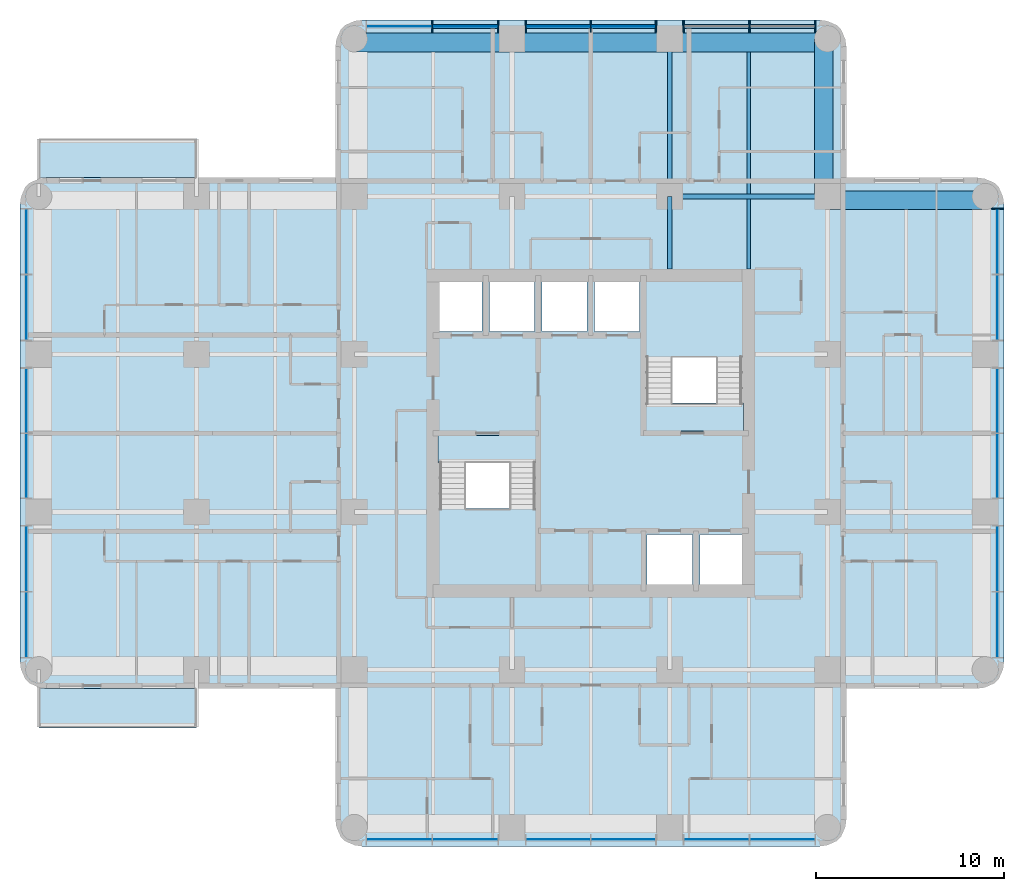
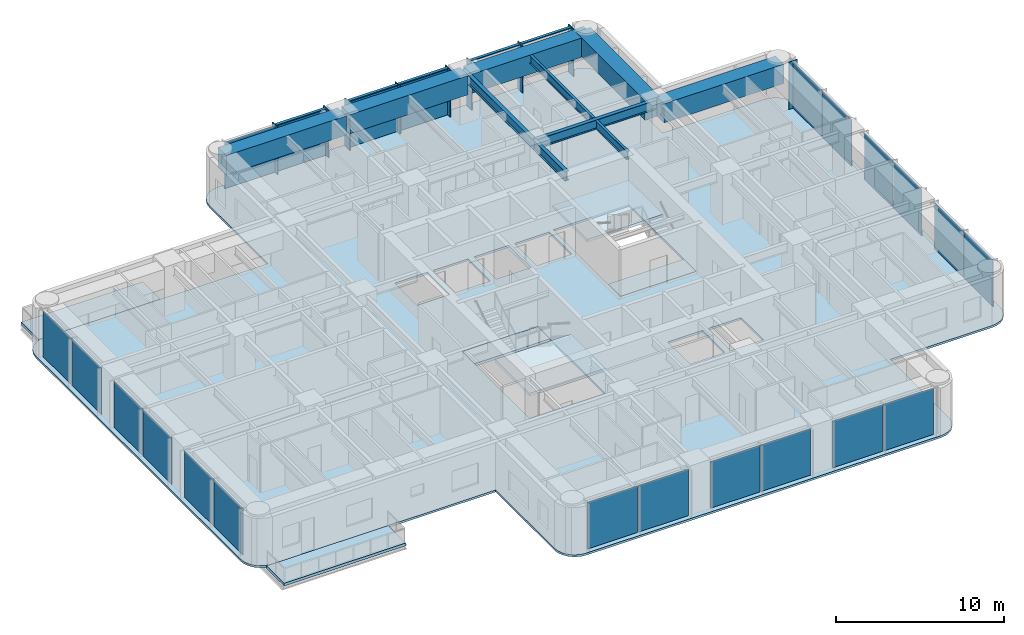
# One storey, part 3 of 11: 22 plates, 14 members, 10 beams, 7 slabs, 6 elements without a shape of their own.
"""IFC4 building model written with IfcOpenShell, lengths in metres."""

from ifc_helpers import new_model, si_unit, direction, frame, origin, origin_2d, place, context, subcontext, project, spatial, polyline, rectangle, i_section, outline, extrude, material, layer, layer_set, material_profile, profile_set, type_object, element, aggregate, save


model = new_model("IFC4")

# Units and contexts
model_context = context("Model", 3, precision=1e-05, world=origin(), true_north=direction((0.0, 1.0)))
body_context = subcontext(model_context, "Body", "Model", "MODEL_VIEW")
ifc_project = project(units=[si_unit("LENGTHUNIT", "METRE"), si_unit("AREAUNIT", "SQUARE_METRE"), si_unit("VOLUMEUNIT", "CUBIC_METRE"), si_unit("PLANEANGLEUNIT", "RADIAN"), si_unit("MASSUNIT", "GRAM", prefix="KILO")], contexts=[model_context])

# Site, building, storey
site_placement = place(None, origin())
site = spatial("IfcSite", under=ifc_project, at=site_placement, CompositionType="ELEMENT")
building_placement = place(site_placement, origin())
building = spatial("IfcBuilding", under=site, at=building_placement, Name="Torre Alcanfor", CompositionType="ELEMENT")
storey_placement = place(building_placement, frame((0.0, 0.0, 219.300048828125)))
storey = spatial("IfcBuildingStorey", under=building, at=storey_placement, Name="L57", CompositionType="ELEMENT", Elevation=219.300048828125)

# Curtain wall, member
ifc_material_1 = material(Name="Aluminium and glass", Category="aluminium")
curtain_wall_type = type_object("IfcCurtainWallType", Name="CW-A unitised apartment glazing with vertical FIN", PredefinedType="NOTDEFINED", material=ifc_material_1)
curtain_wall_1_placement = place(storey_placement, origin())
curtain_wall_1 = element("IfcCurtainWall", 1, at=curtain_wall_1_placement, inside=storey, type_object=curtain_wall_type, Name="Curtain wall CW-A L57 8", PredefinedType="NOTDEFINED")
ifc_material_2 = material(Name="Bronze anodised aluminium", Category="aluminium")
ifc_material_profile_1 = material_profile(ifc_material_2, rectangle(XDim=0.60009765625, YDim=0.06494140625, at=origin_2d()), Name="CW-A mullion 65x600")
ifc_profile_set_1 = profile_set([ifc_material_profile_1], Name="Bronze anodised aluminium")
member_type_1 = type_object("IfcMemberType", Name="CW-A mullion with vertical FIN 65x600", PredefinedType="MULLION", material=ifc_profile_set_1)
member_1_placement = place(storey_placement, frame((51.050048828125, 41.35546875, 0.0), z_axis=(0.0, 0.0, 1.0), x_axis=(-1.0, 0.0, 0.0)))
member_1 = element("IfcMember", 2, at=member_1_placement, type_object=member_type_1, Name="CW-A mullion 3.3", PredefinedType="MULLION", context=body_context, shape_type="SweptSolid", body=[
    extrude(rectangle(XDim=0.60009765625, YDim=0.06494140625, at=origin_2d()), origin(), (0.0, 0.0, 1.0), 3.449951171875),
])

# Curtain wall, members
curtain_wall_2_placement = place(storey_placement, origin())
curtain_wall_2 = element("IfcCurtainWall", 3, at=curtain_wall_2_placement, inside=storey, type_object=curtain_wall_type, Name="Curtain wall CW-A L57 11", PredefinedType="NOTDEFINED")
member_2_placement = place(storey_placement, frame((41.35546875, 51.050048828125, 0.0), z_axis=(0.0, 0.0, 1.0), x_axis=(0.0, -1.0, 0.0)))
member_2 = element("IfcMember", 4, at=member_2_placement, type_object=member_type_1, Name="CW-A mullion 1.1", PredefinedType="MULLION", context=body_context, shape_type="SweptSolid", body=[
    extrude(rectangle(XDim=0.60009765625, YDim=0.06494140625, at=origin_2d()), origin(), (0.0, 0.0, 1.0), 3.449951171875),
])
member_3_placement = place(storey_placement, frame((37.846435546875, 51.050048828125, 0.0), z_axis=(0.0, 0.0, 1.0), x_axis=(0.0, -1.0, 0.0)))
member_3 = element("IfcMember", 5, at=member_3_placement, type_object=member_type_1, Name="CW-A mullion 1.2", PredefinedType="MULLION", context=body_context, shape_type="SweptSolid", body=[
    extrude(rectangle(XDim=0.60009765625, YDim=0.06494140625, at=origin_2d()), origin(), (0.0, 0.0, 1.0), 3.449951171875),
])
member_4_placement = place(storey_placement, frame((34.33740234375, 51.050048828125, 0.0), z_axis=(0.0, 0.0, 1.0), x_axis=(0.0, -1.0, 0.0)))
member_4 = element("IfcMember", 6, at=member_4_placement, type_object=member_type_1, Name="CW-A mullion 1.3", PredefinedType="MULLION", context=body_context, shape_type="SweptSolid", body=[
    extrude(rectangle(XDim=0.60009765625, YDim=0.06494140625, at=origin_2d()), origin(), (0.0, 0.0, 1.0), 3.449951171875),
])
member_5_placement = place(storey_placement, frame((32.862548828125, 51.050048828125, 0.0), z_axis=(0.0, 0.0, 1.0), x_axis=(0.0, -1.0, 0.0)))
member_5 = element("IfcMember", 7, at=member_5_placement, type_object=member_type_1, Name="CW-A mullion 2.1", PredefinedType="MULLION", context=body_context, shape_type="SweptSolid", body=[
    extrude(rectangle(XDim=0.60009765625, YDim=0.06494140625, at=origin_2d()), origin(), (0.0, 0.0, 1.0), 3.449951171875),
])
member_6_placement = place(storey_placement, frame((29.39990234375, 51.050048828125, 0.0), z_axis=(0.0, 0.0, 1.0), x_axis=(0.0, -1.0, 0.0)))
member_6 = element("IfcMember", 8, at=member_6_placement, type_object=member_type_1, Name="CW-A mullion 2.2", PredefinedType="MULLION", context=body_context, shape_type="SweptSolid", body=[
    extrude(rectangle(XDim=0.60009765625, YDim=0.06494140625, at=origin_2d()), origin(), (0.0, 0.0, 1.0), 3.449951171875),
])
member_7_placement = place(storey_placement, frame((25.9375, 51.050048828125, 0.0), z_axis=(0.0, 0.0, 1.0), x_axis=(0.0, -1.0, 0.0)))
member_7 = element("IfcMember", 9, at=member_7_placement, type_object=member_type_1, Name="CW-A mullion 2.3", PredefinedType="MULLION", context=body_context, shape_type="SweptSolid", body=[
    extrude(rectangle(XDim=0.60009765625, YDim=0.06494140625, at=origin_2d()), origin(), (0.0, 0.0, 1.0), 3.449951171875),
])
member_8_placement = place(storey_placement, frame((24.46240234375, 51.050048828125, 0.0), z_axis=(0.0, 0.0, 1.0), x_axis=(0.0, -1.0, 0.0)))
member_8 = element("IfcMember", 10, at=member_8_placement, type_object=member_type_1, Name="CW-A mullion 3.1", PredefinedType="MULLION", context=body_context, shape_type="SweptSolid", body=[
    extrude(rectangle(XDim=0.60009765625, YDim=0.06494140625, at=origin_2d()), origin(), (0.0, 0.0, 1.0), 3.449951171875),
])
member_9_placement = place(storey_placement, frame((20.95361328125, 51.050048828125, 0.0), z_axis=(0.0, 0.0, 1.0), x_axis=(0.0, -1.0, 0.0)))
member_9 = element("IfcMember", 11, at=member_9_placement, type_object=member_type_1, Name="CW-A mullion 3.2", PredefinedType="MULLION", context=body_context, shape_type="SweptSolid", body=[
    extrude(rectangle(XDim=0.60009765625, YDim=0.06494140625, at=origin_2d()), origin(), (0.0, 0.0, 1.0), 3.449951171875),
])
ifc_material_3 = material(Name="Extruded aluminium", Category="aluminium")
ifc_material_profile_2 = material_profile(ifc_material_3, rectangle(XDim=0.199951171875, YDim=0.06494140625, at=origin_2d()), Name="CW-A transom 200x65")
ifc_profile_set_2 = profile_set([ifc_material_profile_2], Name="Extruded aluminium")
member_type_2 = type_object("IfcMemberType", Name="CW-A transom 65x200", PredefinedType="USERDEFINED", material=ifc_profile_set_2)
member_10_placement = place(storey_placement, frame((41.322998046875, 51.050048828125, 3.41748046875), z_axis=(-1.0, 0.0, 0.0), x_axis=(0.0, -1.0, 0.0)))
member_10 = element("IfcMember", 12, at=member_10_placement, type_object=member_type_2, Name="CW-A transom 1.1.2", ObjectType="TRANSOM", PredefinedType="USERDEFINED", context=body_context, shape_type="SweptSolid", body=[
    extrude(rectangle(XDim=0.199951171875, YDim=0.06494140625, at=origin_2d()), origin(), (0.0, 0.0, 1.0), 3.444091796875),
])
member_11_placement = place(storey_placement, frame((37.81396484375, 51.050048828125, 3.41748046875), z_axis=(-1.0, 0.0, 0.0), x_axis=(0.0, -1.0, 0.0)))
member_11 = element("IfcMember", 13, at=member_11_placement, type_object=member_type_2, Name="CW-A transom 1.2.2", ObjectType="TRANSOM", PredefinedType="USERDEFINED", context=body_context, shape_type="SweptSolid", body=[
    extrude(rectangle(XDim=0.199951171875, YDim=0.06494140625, at=origin_2d()), origin(), (0.0, 0.0, 1.0), 3.44384765625),
])
member_12_placement = place(storey_placement, frame((32.830078125, 51.050048828125, 3.41748046875), z_axis=(-1.0, 0.0, 0.0), x_axis=(0.0, -1.0, 0.0)))
member_12 = element("IfcMember", 14, at=member_12_placement, type_object=member_type_2, Name="CW-A transom 2.1.2", ObjectType="TRANSOM", PredefinedType="USERDEFINED", context=body_context, shape_type="SweptSolid", body=[
    extrude(rectangle(XDim=0.199951171875, YDim=0.06494140625, at=origin_2d()), origin(), (0.0, 0.0, 1.0), 3.3974609375),
])
member_13_placement = place(storey_placement, frame((29.367431640625, 51.050048828125, 3.41748046875), z_axis=(-1.0, 0.0, 0.0), x_axis=(0.0, -1.0, 0.0)))
member_13 = element("IfcMember", 15, at=member_13_placement, type_object=member_type_2, Name="CW-A transom 2.2.2", ObjectType="TRANSOM", PredefinedType="USERDEFINED", context=body_context, shape_type="SweptSolid", body=[
    extrude(rectangle(XDim=0.199951171875, YDim=0.06494140625, at=origin_2d()), origin(), (0.0, 0.0, 1.0), 3.3974609375),
])
member_14_placement = place(storey_placement, frame((24.429931640625, 51.050048828125, 3.41748046875), z_axis=(-1.0, 0.0, 0.0), x_axis=(0.0, -1.0, 0.0)))
member_14 = element("IfcMember", 16, at=member_14_placement, type_object=member_type_2, Name="CW-A transom 3.1.2", ObjectType="TRANSOM", PredefinedType="USERDEFINED", context=body_context, shape_type="SweptSolid", body=[
    extrude(rectangle(XDim=0.199951171875, YDim=0.06494140625, at=origin_2d()), origin(), (0.0, 0.0, 1.0), 3.44384765625),
])

# Beams
ifc_material_4 = material(Name="Steel ASTM A992 Grade 50", Category="steel")
ifc_material_profile_3 = material_profile(ifc_material_4, i_section(OverallWidth=0.25390625, OverallDepth=0.683349609375, WebThickness=0.012451171875, FlangeThickness=0.01904296875, at=origin_2d()), Name="W27x94")
ifc_profile_set_3 = profile_set([ifc_material_profile_3], Name="Steel ASTM A992 Grade 50")
beam_type_1 = type_object("IfcBeamType", Name="Girder W27x94", PredefinedType="BEAM", material=ifc_profile_set_3)
for number, where, z_axis, x_axis, name in (
    (17, (33.60009765625, 42.0, 3.1083984375), (1.0, 0.0, 0.0), (0.0, 1.0, 0.0), "Beam 5H-6H under L58"),
    (18, (33.60009765625, 42.0, 3.1083984375), (0.0, 1.0, 0.0), (-1.0, 0.0, 0.0), "Beam 5H-5J under L58"),
):
    element("IfcBeam", number, at=place(storey_placement, frame(where, z_axis=z_axis, x_axis=x_axis)), inside=storey, type_object=beam_type_1, Name=name, PredefinedType="BEAM", context=body_context, shape_type="SweptSolid", body=[
        extrude(i_section(OverallWidth=0.25390625, OverallDepth=0.683349609375, WebThickness=0.012451171875, FlangeThickness=0.01904296875, at=origin_2d()), origin(), (0.0, 0.0, 1.0), 8.39990234375),
    ])
ifc_material_5 = material(Name="Steel ASTM A992 Grade 50", Category="steel")
ifc_material_profile_4 = material_profile(ifc_material_5, i_section(OverallWidth=0.25390625, OverallDepth=0.683349609375, WebThickness=0.012451171875, FlangeThickness=0.01904296875, at=origin_2d()), Name="W27x94")
ifc_profile_set_4 = profile_set([ifc_material_profile_4], Name="Steel ASTM A992 Grade 50")
beam_type_2 = type_object("IfcBeamType", Name="Girder, part bay W27x94", PredefinedType="BEAM", material=ifc_profile_set_4)
beam_1_placement = place(storey_placement, frame((33.60009765625, 42.0, 3.1083984375), z_axis=(0.0, -1.0, 0.0), x_axis=(1.0, 0.0, 0.0)))
element("IfcBeam", 19, at=beam_1_placement, inside=storey, type_object=beam_type_2, Name="Beam 5H-538_15 under L58", PredefinedType="BEAM", context=body_context, shape_type="SweptSolid", body=[
    extrude(i_section(OverallWidth=0.25390625, OverallDepth=0.683349609375, WebThickness=0.012451171875, FlangeThickness=0.01904296875, at=origin_2d()), origin(), (0.0, 0.0, 1.0), 3.85009765625),
])
ifc_material_6 = material(Name="Concrete f'c 70 MPa", Category="concrete")
ifc_material_profile_5 = material_profile(ifc_material_6, rectangle(XDim=1.0, YDim=1.39990234375, at=origin_2d()), Name="1000x1400")
ifc_profile_set_5 = profile_set([ifc_material_profile_5], Name="Concrete f'c 70 MPa")
beam_type_3 = type_object("IfcBeamType", Name="RC perimeter beam 1000x1400", PredefinedType="BEAM", material=ifc_profile_set_5)
for number, where, z_axis, x_axis, name in (
    (20, (42.126953125, 41.800048828125, 2.75), (1.0, 0.0, 0.0), (0.0, 1.0, 0.0), "Beam 6H-7H under L58"),
    (21, (16.800048828125, 50.199951171875, 2.75), (1.0, 0.0, 0.0), (0.0, 1.0, 0.0), "Beam 3J-4J under L58"),
):
    element("IfcBeam", number, at=place(storey_placement, frame(where, z_axis=z_axis, x_axis=x_axis)), inside=storey, type_object=beam_type_3, Name=name, PredefinedType="BEAM", context=body_context, shape_type="SweptSolid", body=[
        extrude(rectangle(XDim=1.0, YDim=1.39990234375, at=origin_2d()), origin(), (0.0, 0.0, 1.0), 8.27294921875),
    ])
beam_2_placement = place(storey_placement, frame((25.326904296875, 50.199951171875, 2.75), z_axis=(1.0, 0.0, 0.0), x_axis=(0.0, 1.0, 0.0)))
element("IfcBeam", 22, at=beam_2_placement, inside=storey, type_object=beam_type_3, Name="Beam 4J-5J under L58", PredefinedType="BEAM", context=body_context, shape_type="SweptSolid", body=[
    extrude(rectangle(XDim=1.0, YDim=1.39990234375, at=origin_2d()), origin(), (0.0, 0.0, 1.0), 8.14599609375),
])
for number, where, z_axis, x_axis, name in (
    (23, (33.72705078125, 50.199951171875, 2.75), (1.0, 0.0, 0.0), (0.0, 1.0, 0.0), "Beam 5J-6J under L58"),
    (24, (41.800048828125, 42.126953125, 2.75), (0.0, 1.0, 0.0), (-1.0, 0.0, 0.0), "Beam 6H-6J under L58"),
):
    element("IfcBeam", number, at=place(storey_placement, frame(where, z_axis=z_axis, x_axis=x_axis)), inside=storey, type_object=beam_type_3, Name=name, PredefinedType="BEAM", context=body_context, shape_type="SweptSolid", body=[
        extrude(rectangle(XDim=1.0, YDim=1.39990234375, at=origin_2d()), origin(), (0.0, 0.0, 1.0), 8.27294921875),
    ])
ifc_material_7 = material(Name="Steel ASTM A992 Grade 50", Category="steel")
ifc_material_profile_6 = material_profile(ifc_material_7, i_section(OverallWidth=0.1787109375, OverallDepth=0.60205078125, WebThickness=0.010986328125, FlangeThickness=0.014892578125, at=origin_2d()), Name="W24x62")
ifc_profile_set_6 = profile_set([ifc_material_profile_6], Name="Steel ASTM A992 Grade 50")
beam_type_4 = type_object("IfcBeamType", Name="Secondary beam W24x62", PredefinedType="BEAM", material=ifc_profile_set_6)
beam_3_placement = place(storey_placement, frame((37.800048828125, 42.126953125, 3.14892578125), z_axis=(0.0, 1.0, 0.0), x_axis=(-1.0, 0.0, 0.0)))
element("IfcBeam", 25, at=beam_3_placement, inside=storey, type_object=beam_type_4, Name="Beam 37_8H-37_8J under L58", PredefinedType="BEAM", context=body_context, shape_type="SweptSolid", body=[
    extrude(i_section(OverallWidth=0.1787109375, OverallDepth=0.60205078125, WebThickness=0.010986328125, FlangeThickness=0.014892578125, at=origin_2d()), origin(), (0.0, 0.0, 1.0), 7.572998046875),
])
ifc_material_8 = material(Name="Steel ASTM A992 Grade 50", Category="steel")
ifc_material_profile_7 = material_profile(ifc_material_8, i_section(OverallWidth=0.1787109375, OverallDepth=0.60205078125, WebThickness=0.010986328125, FlangeThickness=0.014892578125, at=origin_2d()), Name="W24x62")
ifc_profile_set_7 = profile_set([ifc_material_profile_7], Name="Steel ASTM A992 Grade 50")
beam_type_5 = type_object("IfcBeamType", Name="Secondary beam, part bay W24x62", PredefinedType="BEAM", material=ifc_profile_set_7)
beam_4_placement = place(storey_placement, frame((37.800048828125, 38.14990234375, 3.14892578125), z_axis=(0.0, 1.0, 0.0), x_axis=(-1.0, 0.0, 0.0)))
element("IfcBeam", 26, at=beam_4_placement, inside=storey, type_object=beam_type_5, Name="Beam 37_838_15-37_8H under L58", PredefinedType="BEAM", context=body_context, shape_type="SweptSolid", body=[
    extrude(i_section(OverallWidth=0.1787109375, OverallDepth=0.60205078125, WebThickness=0.010986328125, FlangeThickness=0.014892578125, at=origin_2d()), origin(), (0.0, 0.0, 1.0), 3.72314453125),
])

# Slabs
ifc_material_9 = material(Name="Concrete f'c 35 MPa", Category="concrete")
ifc_layer_1 = layer(ifc_material_9, 0.199951171875)
ifc_layer_set_1 = layer_set([ifc_layer_1], Name="Balcony slab 200")
slab_type_1 = type_object("IfcSlabType", Name="Balcony slab 200", PredefinedType="FLOOR", material=ifc_layer_set_1)
slab_1_placement = place(storey_placement, frame((0.0, 0.0, -0.199951171875)))
element("IfcSlab", 27, at=slab_1_placement, inside=storey, type_object=slab_type_1, Name="Balcony L57-W1", PredefinedType="FLOOR", context=body_context, shape_type="SweptSolid", body=[
    extrude(outline(polyline([(8.39990234375, 15.800048828125), (0.0, 15.800048828125), (0.0, 13.699951171875), (8.39990234375, 13.699951171875), (8.39990234375, 15.800048828125)])), origin(), (0.0, 0.0, 1.0), 0.199951171875),
])
slab_2_placement = place(storey_placement, frame((0.0, 0.0, -0.199951171875)))
element("IfcSlab", 28, at=slab_2_placement, inside=storey, type_object=slab_type_1, Name="Balcony L57-W2", PredefinedType="FLOOR", context=body_context, shape_type="SweptSolid", body=[
    extrude(outline(polyline([(8.39990234375, 45.10009765625), (0.0, 45.10009765625), (0.0, 43.0), (8.39990234375, 43.0), (8.39990234375, 45.10009765625)])), origin(), (0.0, 0.0, 1.0), 0.199951171875),
])

# Curtain wall, plates
curtain_wall_3_placement = place(storey_placement, origin())
curtain_wall_3 = element("IfcCurtainWall", 29, at=curtain_wall_3_placement, inside=storey, type_object=curtain_wall_type, Name="Curtain wall CW-A L57 2", PredefinedType="NOTDEFINED")
ifc_material_10 = material(Name="Glass", Category="glass")
ifc_layer_2 = layer(ifc_material_10, 0.028076171875)
ifc_layer_set_2 = layer_set([ifc_layer_2], Name="CW-A clear double glazed unit")
plate_type = type_object("IfcPlateType", Name="CW-A clear double glazed unit", PredefinedType="CURTAIN_PANEL", material=ifc_layer_set_2)
plate_1_placement = place(storey_placement, frame((-0.64990234375, 39.60107421875, 0.0), z_axis=(0.0, 0.0, 1.0), x_axis=(0.0, -1.0, 0.0)))
plate_1 = element("IfcPlate", 30, at=plate_1_placement, type_object=plate_type, Name="CW-A panel 1.1.1", PredefinedType="CURTAIN_PANEL", context=body_context, shape_type="SweptSolid", body=[
    extrude(rectangle(XDim=3.444091796875, YDim=0.028076171875, at=origin_2d()), origin(), (0.0, 0.0, 1.0), 3.385009765625),
])
plate_2_placement = place(storey_placement, frame((-0.64990234375, 36.092041015625, 0.0), z_axis=(0.0, 0.0, 1.0), x_axis=(0.0, -1.0, 0.0)))
plate_2 = element("IfcPlate", 31, at=plate_2_placement, type_object=plate_type, Name="CW-A panel 1.2.1", PredefinedType="CURTAIN_PANEL", context=body_context, shape_type="SweptSolid", body=[
    extrude(rectangle(XDim=3.444091796875, YDim=0.028076171875, at=origin_2d()), origin(), (0.0, 0.0, 1.0), 3.385009765625),
])
plate_3_placement = place(storey_placement, frame((-0.64990234375, 31.13134765625, 0.0), z_axis=(0.0, 0.0, 1.0), x_axis=(0.0, -1.0, 0.0)))
plate_3 = element("IfcPlate", 32, at=plate_3_placement, type_object=plate_type, Name="CW-A panel 2.1.1", PredefinedType="CURTAIN_PANEL", context=body_context, shape_type="SweptSolid", body=[
    extrude(rectangle(XDim=3.3974609375, YDim=0.028076171875, at=origin_2d()), origin(), (0.0, 0.0, 1.0), 3.385009765625),
])
plate_4_placement = place(storey_placement, frame((-0.64990234375, 27.668701171875, 0.0), z_axis=(0.0, 0.0, 1.0), x_axis=(0.0, -1.0, 0.0)))
plate_4 = element("IfcPlate", 33, at=plate_4_placement, type_object=plate_type, Name="CW-A panel 2.2.1", PredefinedType="CURTAIN_PANEL", context=body_context, shape_type="SweptSolid", body=[
    extrude(rectangle(XDim=3.3974609375, YDim=0.028076171875, at=origin_2d()), origin(), (0.0, 0.0, 1.0), 3.385009765625),
])
plate_5_placement = place(storey_placement, frame((-0.64990234375, 22.7080078125, 0.0), z_axis=(0.0, 0.0, 1.0), x_axis=(0.0, -1.0, 0.0)))
plate_5 = element("IfcPlate", 34, at=plate_5_placement, type_object=plate_type, Name="CW-A panel 3.1.1", PredefinedType="CURTAIN_PANEL", context=body_context, shape_type="SweptSolid", body=[
    extrude(rectangle(XDim=3.444091796875, YDim=0.028076171875, at=origin_2d()), origin(), (0.0, 0.0, 1.0), 3.385009765625),
])
plate_6_placement = place(storey_placement, frame((-0.64990234375, 19.198974609375, 0.0), z_axis=(0.0, 0.0, 1.0), x_axis=(0.0, -1.0, 0.0)))
plate_6 = element("IfcPlate", 35, at=plate_6_placement, type_object=plate_type, Name="CW-A panel 3.2.1", PredefinedType="CURTAIN_PANEL", context=body_context, shape_type="SweptSolid", body=[
    extrude(rectangle(XDim=3.444091796875, YDim=0.028076171875, at=origin_2d()), origin(), (0.0, 0.0, 1.0), 3.385009765625),
])
aggregate(curtain_wall_3, [plate_1, plate_2, plate_3, plate_4, plate_5, plate_6])

curtain_wall_4_placement = place(storey_placement, origin())
curtain_wall_4 = element("IfcCurtainWall", 36, at=curtain_wall_4_placement, inside=storey, type_object=curtain_wall_type, Name="Curtain wall CW-A L57 5", PredefinedType="NOTDEFINED")
plate_7_placement = place(storey_placement, frame((19.198974609375, 7.75, 0.0), z_axis=(0.0, 0.0, 1.0), x_axis=(1.0, 0.0, 0.0)))
plate_7 = element("IfcPlate", 37, at=plate_7_placement, type_object=plate_type, Name="CW-A panel 1.1.1", PredefinedType="CURTAIN_PANEL", context=body_context, shape_type="SweptSolid", body=[
    extrude(rectangle(XDim=3.444091796875, YDim=0.028076171875, at=origin_2d()), origin(), (0.0, 0.0, 1.0), 3.385009765625),
])
plate_8_placement = place(storey_placement, frame((22.7080078125, 7.75, 0.0), z_axis=(0.0, 0.0, 1.0), x_axis=(1.0, 0.0, 0.0)))
plate_8 = element("IfcPlate", 38, at=plate_8_placement, type_object=plate_type, Name="CW-A panel 1.2.1", PredefinedType="CURTAIN_PANEL", context=body_context, shape_type="SweptSolid", body=[
    extrude(rectangle(XDim=3.444091796875, YDim=0.028076171875, at=origin_2d()), origin(), (0.0, 0.0, 1.0), 3.385009765625),
])
plate_9_placement = place(storey_placement, frame((27.668701171875, 7.75, 0.0), z_axis=(0.0, 0.0, 1.0), x_axis=(1.0, 0.0, 0.0)))
plate_9 = element("IfcPlate", 39, at=plate_9_placement, type_object=plate_type, Name="CW-A panel 2.1.1", PredefinedType="CURTAIN_PANEL", context=body_context, shape_type="SweptSolid", body=[
    extrude(rectangle(XDim=3.3974609375, YDim=0.028076171875, at=origin_2d()), origin(), (0.0, 0.0, 1.0), 3.385009765625),
])
plate_10_placement = place(storey_placement, frame((31.13134765625, 7.75, 0.0), z_axis=(0.0, 0.0, 1.0), x_axis=(1.0, 0.0, 0.0)))
plate_10 = element("IfcPlate", 40, at=plate_10_placement, type_object=plate_type, Name="CW-A panel 2.2.1", PredefinedType="CURTAIN_PANEL", context=body_context, shape_type="SweptSolid", body=[
    extrude(rectangle(XDim=3.3974609375, YDim=0.028076171875, at=origin_2d()), origin(), (0.0, 0.0, 1.0), 3.385009765625),
])
plate_11_placement = place(storey_placement, frame((36.092041015625, 7.75, 0.0), z_axis=(0.0, 0.0, 1.0), x_axis=(1.0, 0.0, 0.0)))
plate_11 = element("IfcPlate", 41, at=plate_11_placement, type_object=plate_type, Name="CW-A panel 3.1.1", PredefinedType="CURTAIN_PANEL", context=body_context, shape_type="SweptSolid", body=[
    extrude(rectangle(XDim=3.444091796875, YDim=0.028076171875, at=origin_2d()), origin(), (0.0, 0.0, 1.0), 3.385009765625),
])
plate_12_placement = place(storey_placement, frame((39.60107421875, 7.75, 0.0), z_axis=(0.0, 0.0, 1.0), x_axis=(1.0, 0.0, 0.0)))
plate_12 = element("IfcPlate", 42, at=plate_12_placement, type_object=plate_type, Name="CW-A panel 3.2.1", PredefinedType="CURTAIN_PANEL", context=body_context, shape_type="SweptSolid", body=[
    extrude(rectangle(XDim=3.444091796875, YDim=0.028076171875, at=origin_2d()), origin(), (0.0, 0.0, 1.0), 3.385009765625),
])
aggregate(curtain_wall_4, [plate_7, plate_8, plate_9, plate_10, plate_11, plate_12])

# Plate
plate_13_placement = place(storey_placement, frame((51.050048828125, 19.198974609375, 0.0), z_axis=(0.0, 0.0, 1.0), x_axis=(0.0, 1.0, 0.0)))
plate_13 = element("IfcPlate", 43, at=plate_13_placement, type_object=plate_type, Name="CW-A panel 1.1.1", PredefinedType="CURTAIN_PANEL", context=body_context, shape_type="SweptSolid", body=[
    extrude(rectangle(XDim=3.444091796875, YDim=0.028076171875, at=origin_2d()), origin(), (0.0, 0.0, 1.0), 3.385009765625),
])

plate_14_placement = place(storey_placement, frame((51.050048828125, 22.7080078125, 0.0), z_axis=(0.0, 0.0, 1.0), x_axis=(0.0, 1.0, 0.0)))
plate_14 = element("IfcPlate", 44, at=plate_14_placement, type_object=plate_type, Name="CW-A panel 1.2.1", PredefinedType="CURTAIN_PANEL", context=body_context, shape_type="SweptSolid", body=[
    extrude(rectangle(XDim=3.444091796875, YDim=0.028076171875, at=origin_2d()), origin(), (0.0, 0.0, 1.0), 3.385009765625),
])

plate_15_placement = place(storey_placement, frame((51.050048828125, 27.668701171875, 0.0), z_axis=(0.0, 0.0, 1.0), x_axis=(0.0, 1.0, 0.0)))
plate_15 = element("IfcPlate", 45, at=plate_15_placement, type_object=plate_type, Name="CW-A panel 2.1.1", PredefinedType="CURTAIN_PANEL", context=body_context, shape_type="SweptSolid", body=[
    extrude(rectangle(XDim=3.3974609375, YDim=0.028076171875, at=origin_2d()), origin(), (0.0, 0.0, 1.0), 3.385009765625),
])

plate_16_placement = place(storey_placement, frame((51.050048828125, 31.13134765625, 0.0), z_axis=(0.0, 0.0, 1.0), x_axis=(0.0, 1.0, 0.0)))
plate_16 = element("IfcPlate", 46, at=plate_16_placement, type_object=plate_type, Name="CW-A panel 2.2.1", PredefinedType="CURTAIN_PANEL", context=body_context, shape_type="SweptSolid", body=[
    extrude(rectangle(XDim=3.3974609375, YDim=0.028076171875, at=origin_2d()), origin(), (0.0, 0.0, 1.0), 3.385009765625),
])

plate_17_placement = place(storey_placement, frame((51.050048828125, 36.092041015625, 0.0), z_axis=(0.0, 0.0, 1.0), x_axis=(0.0, 1.0, 0.0)))
plate_17 = element("IfcPlate", 47, at=plate_17_placement, type_object=plate_type, Name="CW-A panel 3.1.1", PredefinedType="CURTAIN_PANEL", context=body_context, shape_type="SweptSolid", body=[
    extrude(rectangle(XDim=3.444091796875, YDim=0.028076171875, at=origin_2d()), origin(), (0.0, 0.0, 1.0), 3.385009765625),
])

plate_18_placement = place(storey_placement, frame((51.050048828125, 39.60107421875, 0.0), z_axis=(0.0, 0.0, 1.0), x_axis=(0.0, 1.0, 0.0)))
plate_18 = element("IfcPlate", 48, at=plate_18_placement, type_object=plate_type, Name="CW-A panel 3.2.1", PredefinedType="CURTAIN_PANEL", context=body_context, shape_type="SweptSolid", body=[
    extrude(rectangle(XDim=3.444091796875, YDim=0.028076171875, at=origin_2d()), origin(), (0.0, 0.0, 1.0), 3.385009765625),
])

aggregate(curtain_wall_1, [plate_13, plate_14, plate_15, plate_16, member_1, plate_17, plate_18])

plate_19_placement = place(storey_placement, frame((31.13134765625, 51.050048828125, 0.0), z_axis=(0.0, 0.0, 1.0), x_axis=(-1.0, 0.0, 0.0)))
plate_19 = element("IfcPlate", 49, at=plate_19_placement, type_object=plate_type, Name="CW-A panel 2.1.1", PredefinedType="CURTAIN_PANEL", context=body_context, shape_type="SweptSolid", body=[
    extrude(rectangle(XDim=3.3974609375, YDim=0.028076171875, at=origin_2d()), origin(), (0.0, 0.0, 1.0), 3.385009765625),
])

plate_20_placement = place(storey_placement, frame((27.668701171875, 51.050048828125, 0.0), z_axis=(0.0, 0.0, 1.0), x_axis=(-1.0, 0.0, 0.0)))
plate_20 = element("IfcPlate", 50, at=plate_20_placement, type_object=plate_type, Name="CW-A panel 2.2.1", PredefinedType="CURTAIN_PANEL", context=body_context, shape_type="SweptSolid", body=[
    extrude(rectangle(XDim=3.3974609375, YDim=0.028076171875, at=origin_2d()), origin(), (0.0, 0.0, 1.0), 3.385009765625),
])

plate_21_placement = place(storey_placement, frame((22.7080078125, 51.050048828125, 0.0), z_axis=(0.0, 0.0, 1.0), x_axis=(-1.0, 0.0, 0.0)))
plate_21 = element("IfcPlate", 51, at=plate_21_placement, type_object=plate_type, Name="CW-A panel 3.1.1", PredefinedType="CURTAIN_PANEL", context=body_context, shape_type="SweptSolid", body=[
    extrude(rectangle(XDim=3.444091796875, YDim=0.028076171875, at=origin_2d()), origin(), (0.0, 0.0, 1.0), 3.385009765625),
])

plate_22_placement = place(storey_placement, frame((19.198974609375, 51.050048828125, 0.0), z_axis=(0.0, 0.0, 1.0), x_axis=(-1.0, 0.0, 0.0)))
plate_22 = element("IfcPlate", 52, at=plate_22_placement, type_object=plate_type, Name="CW-A panel 3.2.1", PredefinedType="CURTAIN_PANEL", context=body_context, shape_type="SweptSolid", body=[
    extrude(rectangle(XDim=3.444091796875, YDim=0.028076171875, at=origin_2d()), origin(), (0.0, 0.0, 1.0), 3.385009765625),
])

aggregate(curtain_wall_2, [member_2, member_3, member_4, member_10, member_11, member_5, member_6, member_7, member_12, plate_19, member_13, plate_20, member_8, member_9, member_14, plate_21, plate_22])

# Slab
ifc_material_11 = material(Name="Concrete f'c 35 MPa", Category="concrete")
ifc_layer_3 = layer(ifc_material_11, 0.14990234375)
ifc_layer_set_3 = layer_set([ifc_layer_3], Name="Composite floor 150 on metal deck")
slab_type_2 = type_object("IfcSlabType", Name="Composite floor 150 on metal deck", PredefinedType="FLOOR", material=ifc_layer_set_3)
slab_3_placement = place(storey_placement, frame((0.0, 0.0, -0.150146484375)))
element("IfcSlab", 53, at=slab_3_placement, inside=storey, type_object=slab_type_2, Name="Floor slab L57", PredefinedType="FLOOR", context=body_context, shape_type="SweptSolid", body=[
    extrude(outline(polyline([(15.800048828125, 43.0), (0.39990234375, 43.0), (0.03759765625, 42.952392578125), (-0.300048828125, 42.8125), (-0.58984375, 42.58984375), (-0.8125, 42.300048828125), (-0.952392578125, 41.96240234375), (-1.0, 41.60009765625), (-1.0, 17.199951171875), (-0.952392578125, 16.837646484375), (-0.8125, 16.5), (-0.58984375, 16.210205078125), (-0.300048828125, 15.987548828125), (0.03759765625, 15.84765625), (0.39990234375, 15.800048828125), (15.800048828125, 15.800048828125), (15.800048828125, 8.800048828125), (15.84765625, 8.437744140625), (15.987548828125, 8.10009765625), (16.210205078125, 7.81005859375), (16.5, 7.587646484375), (16.837646484375, 7.44775390625), (17.199951171875, 7.39990234375), (41.60009765625, 7.39990234375), (41.96240234375, 7.44775390625), (42.300048828125, 7.587646484375), (42.58984375, 7.81005859375), (42.8125, 8.10009765625), (42.952392578125, 8.437744140625), (43.0, 8.800048828125), (43.0, 15.800048828125), (50.0, 15.800048828125), (50.3623046875, 15.84765625), (50.699951171875, 15.987548828125), (50.989990234375, 16.210205078125), (51.21240234375, 16.5), (51.352294921875, 16.837646484375), (51.39990234375, 17.199951171875), (51.39990234375, 41.60009765625), (51.352294921875, 41.96240234375), (51.21240234375, 42.300048828125), (50.989990234375, 42.58984375), (50.699951171875, 42.8125), (50.3623046875, 42.952392578125), (50.0, 43.0), (43.0, 43.0), (43.0, 50.0), (42.952392578125, 50.3623046875), (42.8125, 50.699951171875), (42.58984375, 50.989990234375), (42.300048828125, 51.21240234375), (41.96240234375, 51.352294921875), (41.60009765625, 51.39990234375), (17.199951171875, 51.39990234375), (16.837646484375, 51.352294921875), (16.5, 51.21240234375), (16.210205078125, 50.989990234375), (15.987548828125, 50.699951171875), (15.84765625, 50.3623046875), (15.800048828125, 50.0), (15.800048828125, 43.0)]), holes=[polyline([(21.27001953125, 21.27001953125), (26.47998046875, 21.27001953125), (26.47998046875, 29.280029296875), (21.27001953125, 29.280029296875), (21.27001953125, 21.27001953125)]), polyline([(32.320068359375, 29.52001953125), (37.530029296875, 29.52001953125), (37.530029296875, 37.530029296875), (32.320068359375, 37.530029296875), (32.320068359375, 29.52001953125)]), polyline([(32.39990234375, 21.35009765625), (34.800048828125, 21.35009765625), (34.800048828125, 24.0), (32.39990234375, 24.0), (32.39990234375, 21.35009765625)]), polyline([(35.199951171875, 21.35009765625), (37.449951171875, 21.35009765625), (37.449951171875, 24.0), (35.199951171875, 24.0), (35.199951171875, 21.35009765625)]), polyline([(21.35009765625, 34.800048828125), (23.60009765625, 34.800048828125), (23.60009765625, 37.449951171875), (21.35009765625, 37.449951171875), (21.35009765625, 34.800048828125)]), polyline([(24.0, 34.800048828125), (26.39990234375, 34.800048828125), (26.39990234375, 37.449951171875), (24.0, 37.449951171875), (24.0, 34.800048828125)]), polyline([(26.800048828125, 34.800048828125), (29.199951171875, 34.800048828125), (29.199951171875, 37.449951171875), (26.800048828125, 37.449951171875), (26.800048828125, 34.800048828125)]), polyline([(29.60009765625, 34.800048828125), (32.0, 34.800048828125), (32.0, 37.449951171875), (29.60009765625, 37.449951171875), (29.60009765625, 34.800048828125)])]), origin(), (0.0, 0.0, 1.0), 0.150146484375),
])

# Stair, slabs
ifc_material_12 = material(Name="Concrete f'c 35 MPa", Category="concrete")
stair_type_1 = type_object("IfcStairType", Name="Exit stair S1 1400 wide", PredefinedType="HALF_TURN_STAIR", material=ifc_material_12)
stair_1_placement = place(storey_placement, origin())
stair_1 = element("IfcStair", 54, at=stair_1_placement, inside=storey, type_object=stair_type_1, Name="Stair S1 L57 to L58", PredefinedType="HALF_TURN_STAIR")
ifc_material_13 = material(Name="Concrete f'c 35 MPa", Category="concrete")
ifc_layer_4 = layer(ifc_material_13, 0.199951171875)
ifc_layer_set_4 = layer_set([ifc_layer_4], Name="Stair landing 200")
slab_type_3 = type_object("IfcSlabType", Name="Stair landing 200", PredefinedType="LANDING", material=ifc_layer_set_4)
slab_4_placement = place(storey_placement, frame((0.0, 0.0, -0.199951171875)))
slab_4 = element("IfcSlab", 55, at=slab_4_placement, type_object=slab_type_3, Name="S1 landing 1", PredefinedType="LANDING", context=body_context, shape_type="SweptSolid", body=[
    extrude(outline(polyline([(21.27001953125, 27.800048828125), (26.47998046875, 27.800048828125), (26.47998046875, 29.280029296875), (21.27001953125, 29.280029296875), (21.27001953125, 27.800048828125)])), origin(), (0.0, 0.0, 1.0), 0.199951171875),
])
slab_5_placement = place(storey_placement, frame((0.0, 0.0, 1.599853515625)))
slab_5 = element("IfcSlab", 56, at=slab_5_placement, type_object=slab_type_3, Name="S1 landing 2", PredefinedType="LANDING", context=body_context, shape_type="SweptSolid", body=[
    extrude(outline(polyline([(21.27001953125, 21.27001953125), (26.530029296875, 21.27001953125), (26.530029296875, 25.3798828125), (21.27001953125, 25.3798828125), (21.27001953125, 21.27001953125)])), origin(), (0.0, 0.0, 1.0), 0.2001953125),
])
aggregate(stair_1, [slab_4, slab_5])

ifc_material_14 = material(Name="Concrete f'c 35 MPa", Category="concrete")
stair_type_2 = type_object("IfcStairType", Name="Exit stair S2 1400 wide", PredefinedType="HALF_TURN_STAIR", material=ifc_material_14)
stair_2_placement = place(storey_placement, origin())
stair_2 = element("IfcStair", 57, at=stair_2_placement, inside=storey, type_object=stair_type_2, Name="Stair S2 L57 to L58", PredefinedType="HALF_TURN_STAIR")
slab_6_placement = place(storey_placement, frame((0.0, 0.0, -0.199951171875)))
slab_6 = element("IfcSlab", 58, at=slab_6_placement, type_object=slab_type_3, Name="S2 landing 1", PredefinedType="LANDING", context=body_context, shape_type="SweptSolid", body=[
    extrude(outline(polyline([(32.320068359375, 29.52001953125), (37.530029296875, 29.52001953125), (37.530029296875, 31.0), (32.320068359375, 31.0), (32.320068359375, 29.52001953125)])), origin(), (0.0, 0.0, 1.0), 0.199951171875),
])
slab_7_placement = place(storey_placement, frame((0.0, 0.0, 1.599853515625)))
slab_7 = element("IfcSlab", 59, at=slab_7_placement, type_object=slab_type_3, Name="S2 landing 2", PredefinedType="LANDING", context=body_context, shape_type="SweptSolid", body=[
    extrude(outline(polyline([(32.27001953125, 33.419921875), (37.530029296875, 33.419921875), (37.530029296875, 37.530029296875), (32.27001953125, 37.530029296875), (32.27001953125, 33.419921875)])), origin(), (0.0, 0.0, 1.0), 0.2001953125),
])
aggregate(stair_2, [slab_6, slab_7])

save(model, "model.ifc")
